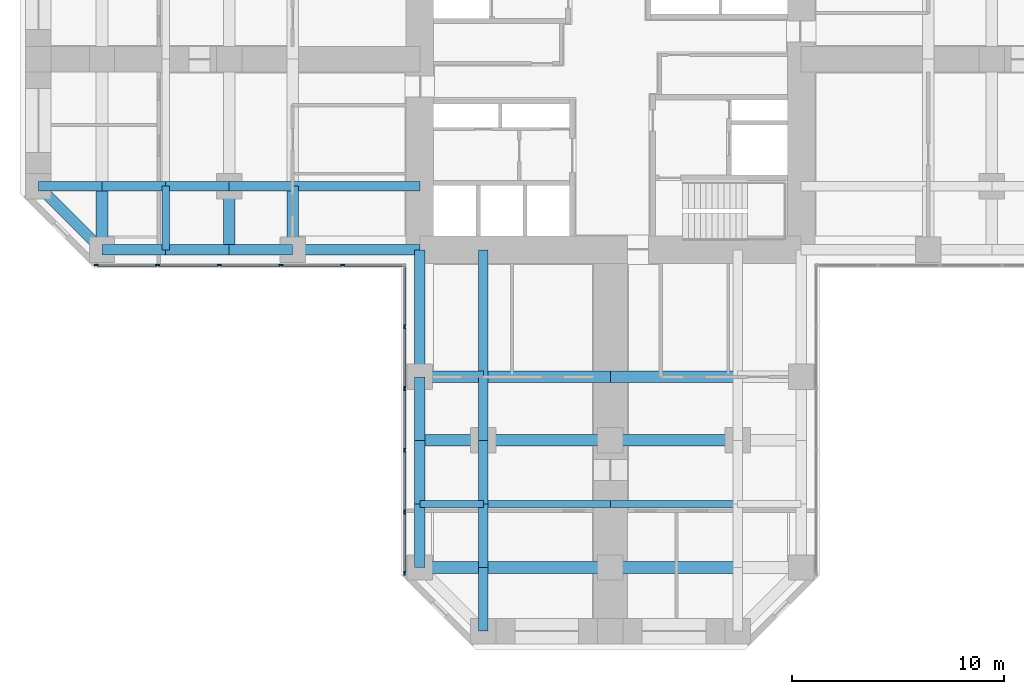
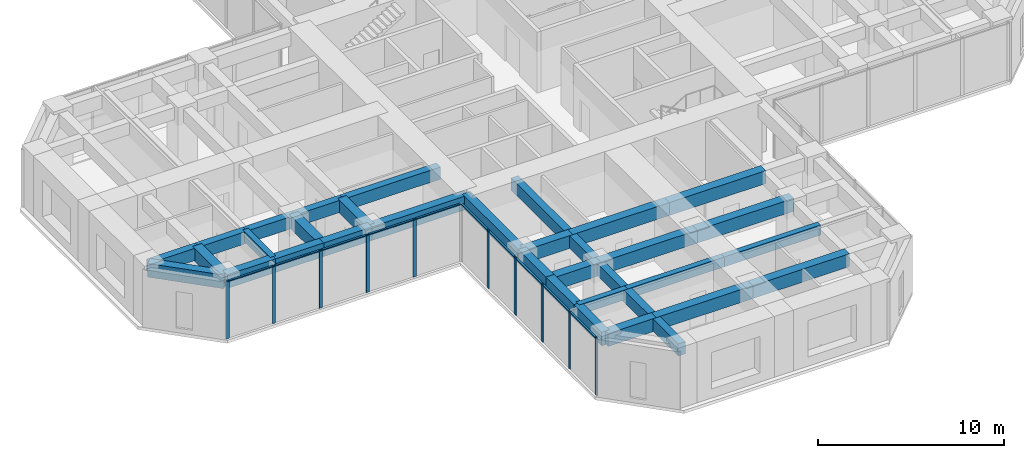
# One storey, part 2 of 13: 35 beams, 20 members, 2 elements without a shape of their own.
"""IFC4 building model written with IfcOpenShell, lengths in metres."""

from ifc_helpers import new_model, si_unit, direction, frame, origin, origin_2d, place, context, subcontext, project, spatial, rectangle, extrude, material, material_profile, profile_set, type_object, element, aggregate, save


model = new_model("IFC4")

# Units and contexts
model_context = context("Model", 3, precision=1e-05, world=origin(), true_north=direction((0.0, 1.0)))
body_context = subcontext(model_context, "Body", "Model", "MODEL_VIEW")
ifc_project = project(units=[si_unit("LENGTHUNIT", "METRE"), si_unit("AREAUNIT", "SQUARE_METRE"), si_unit("VOLUMEUNIT", "CUBIC_METRE"), si_unit("PLANEANGLEUNIT", "RADIAN"), si_unit("MASSUNIT", "GRAM", prefix="KILO")], contexts=[model_context])

# Site, building, storey
site_placement = place(None, origin())
site = spatial("IfcSite", under=ifc_project, at=site_placement, CompositionType="ELEMENT")
building_placement = place(site_placement, origin())
building = spatial("IfcBuilding", under=site, at=building_placement, Name="Torre Cruceta", CompositionType="ELEMENT")
storey_placement = place(building_placement, frame((0.0, 0.0, 51.5)))
storey = spatial("IfcBuildingStorey", under=building, at=storey_placement, Name="L12", CompositionType="ELEMENT", Elevation=51.5)

# Beams
ifc_material_1 = material(Name="Concrete G60 (fck 60 MPa)", Category="concrete")
ifc_material_profile_1 = material_profile(ifc_material_1, rectangle(XDim=0.449951171875, YDim=0.800048828125, at=origin_2d()), Name="RC 450X800")
ifc_profile_set_1 = profile_set([ifc_material_profile_1], Name="Concrete G60 (fck 60 MPa)")
beam_type_1 = type_object("IfcBeamType", Name="COLUMN LINE BEAM RC 450X800", PredefinedType="BEAM", material=ifc_profile_set_1)
beam_1_placement = place(storey_placement, frame((-6.0, -9.0, 3.39990234375), z_axis=(0.0, -1.0, 0.0), x_axis=(1.0, 0.0, 0.0)))
element("IfcBeam", 1, at=beam_1_placement, inside=storey, type_object=beam_type_1, Name="LB1 L12 S col- 1", PredefinedType="BEAM", context=body_context, shape_type="SweptSolid", body=[
    extrude(rectangle(XDim=0.449951171875, YDim=0.800048828125, at=origin_2d()), origin(), (0.0, 0.0, 1.0), 6.0),
])
for number, where, z_axis, x_axis, name in (
    (2, (-6.0, -15.0, 3.39990234375), (0.0, -1.0, 0.0), (1.0, 0.0, 0.0), "LB1 L12 S col- 2"),
    (3, (-6.0, -18.0, 3.39990234375), (0.0, -1.0, 0.0), (1.0, 0.0, 0.0), "LB1 L12 S col- 3"),
    (4, (-6.0, -21.0, 3.39990234375), (0.0, -1.0, 0.0), (1.0, 0.0, 0.0), "LB1 L12 S col- 4"),
    (5, (-6.0, -24.0, 3.39990234375), (0.0, -1.0, 0.0), (1.0, 0.0, 0.0), "LB1 L12 S col- 5"),
):
    element("IfcBeam", number, at=place(storey_placement, frame(where, z_axis=z_axis, x_axis=x_axis)), inside=storey, type_object=beam_type_1, Name=name, PredefinedType="BEAM", context=body_context, shape_type="SweptSolid", body=[
        extrude(rectangle(XDim=0.449951171875, YDim=0.800048828125, at=origin_2d()), origin(), (0.0, 0.0, 1.0), 3.0),
    ])
beam_2_placement = place(storey_placement, frame((-9.0, -6.0, 3.39990234375), z_axis=(-1.0, 0.0, 0.0), x_axis=(0.0, -1.0, 0.0)))
element("IfcBeam", 6, at=beam_2_placement, inside=storey, type_object=beam_type_1, Name="LB1 L12 W col+ 1", PredefinedType="BEAM", context=body_context, shape_type="SweptSolid", body=[
    extrude(rectangle(XDim=0.449951171875, YDim=0.800048828125, at=origin_2d()), origin(), (0.0, 0.0, 1.0), 6.0),
])
for number, where, z_axis, x_axis, name in (
    (7, (-15.0, -6.0, 3.39990234375), (-1.0, 0.0, 0.0), (0.0, -1.0, 0.0), "LB1 L12 W col+ 2"),
    (8, (-18.0, -6.0, 3.39990234375), (-1.0, 0.0, 0.0), (0.0, -1.0, 0.0), "LB1 L12 W col+ 3"),
    (9, (-21.0, -6.0, 3.39990234375), (-1.0, 0.0, 0.0), (0.0, -1.0, 0.0), "LB1 L12 W col+ 4"),
    (10, (-24.0, -6.0, 3.39990234375), (-1.0, 0.0, 0.0), (0.0, -1.0, 0.0), "LB1 L12 W col+ 5"),
):
    element("IfcBeam", number, at=place(storey_placement, frame(where, z_axis=z_axis, x_axis=x_axis)), inside=storey, type_object=beam_type_1, Name=name, PredefinedType="BEAM", context=body_context, shape_type="SweptSolid", body=[
        extrude(rectangle(XDim=0.449951171875, YDim=0.800048828125, at=origin_2d()), origin(), (0.0, 0.0, 1.0), 3.0),
    ])
ifc_material_2 = material(Name="Concrete G60 (fck 60 MPa)", Category="concrete")
ifc_material_profile_2 = material_profile(ifc_material_2, rectangle(XDim=0.550048828125, YDim=0.85009765625, at=origin_2d()), Name="RC 550X850")
ifc_profile_set_2 = profile_set([ifc_material_profile_2], Name="Concrete G60 (fck 60 MPa)")
beam_type_2 = type_object("IfcBeamType", Name="CROSS BEAM RC 550X850", PredefinedType="BEAM", material=ifc_profile_set_2)
beam_3_placement = place(storey_placement, frame((-9.0, -15.0, 3.375), z_axis=(1.0, 0.0, 0.0), x_axis=(0.0, 1.0, 0.0)))
element("IfcBeam", 11, at=beam_3_placement, inside=storey, type_object=beam_type_2, Name="GB4 L12 S cross15 1", PredefinedType="BEAM", context=body_context, shape_type="SweptSolid", body=[
    extrude(rectangle(XDim=0.550048828125, YDim=0.85009765625, at=origin_2d()), origin(), (0.0, 0.0, 1.0), 3.0),
])
for number, where, z_axis, x_axis, name in (
    (12, (-6.0, -15.0, 3.375), (1.0, 0.0, 0.0), (0.0, 1.0, 0.0), "GB4 L12 S cross15 2"),
    (13, (0.0, -15.0, 3.375), (1.0, 0.0, 0.0), (0.0, 1.0, 0.0), "GB4 L12 S cross15 3"),
):
    element("IfcBeam", number, at=place(storey_placement, frame(where, z_axis=z_axis, x_axis=x_axis)), inside=storey, type_object=beam_type_2, Name=name, PredefinedType="BEAM", context=body_context, shape_type="SweptSolid", body=[
        extrude(rectangle(XDim=0.550048828125, YDim=0.85009765625, at=origin_2d()), origin(), (0.0, 0.0, 1.0), 6.0),
    ])
beam_4_placement = place(storey_placement, frame((-9.0, -18.0, 3.375), z_axis=(1.0, 0.0, 0.0), x_axis=(0.0, 1.0, 0.0)))
element("IfcBeam", 14, at=beam_4_placement, inside=storey, type_object=beam_type_2, Name="GB4 L12 S cross18 1", PredefinedType="BEAM", context=body_context, shape_type="SweptSolid", body=[
    extrude(rectangle(XDim=0.550048828125, YDim=0.85009765625, at=origin_2d()), origin(), (0.0, 0.0, 1.0), 3.0),
])
for number, where, z_axis, x_axis, name in (
    (15, (-6.0, -18.0, 3.375), (1.0, 0.0, 0.0), (0.0, 1.0, 0.0), "GB4 L12 S cross18 2"),
    (16, (0.0, -18.0, 3.375), (1.0, 0.0, 0.0), (0.0, 1.0, 0.0), "GB4 L12 S cross18 3"),
):
    element("IfcBeam", number, at=place(storey_placement, frame(where, z_axis=z_axis, x_axis=x_axis)), inside=storey, type_object=beam_type_2, Name=name, PredefinedType="BEAM", context=body_context, shape_type="SweptSolid", body=[
        extrude(rectangle(XDim=0.550048828125, YDim=0.85009765625, at=origin_2d()), origin(), (0.0, 0.0, 1.0), 6.0),
    ])
beam_5_placement = place(storey_placement, frame((-9.0, -24.0, 3.375), z_axis=(1.0, 0.0, 0.0), x_axis=(0.0, 1.0, 0.0)))
element("IfcBeam", 17, at=beam_5_placement, inside=storey, type_object=beam_type_2, Name="GB4 L12 S cross24 1", PredefinedType="BEAM", context=body_context, shape_type="SweptSolid", body=[
    extrude(rectangle(XDim=0.550048828125, YDim=0.85009765625, at=origin_2d()), origin(), (0.0, 0.0, 1.0), 3.0),
])
for number, where, z_axis, x_axis, name in (
    (18, (-6.0, -24.0, 3.375), (1.0, 0.0, 0.0), (0.0, 1.0, 0.0), "GB4 L12 S cross24 2"),
    (19, (0.0, -24.0, 3.375), (1.0, 0.0, 0.0), (0.0, 1.0, 0.0), "GB4 L12 S cross24 3"),
):
    element("IfcBeam", number, at=place(storey_placement, frame(where, z_axis=z_axis, x_axis=x_axis)), inside=storey, type_object=beam_type_2, Name=name, PredefinedType="BEAM", context=body_context, shape_type="SweptSolid", body=[
        extrude(rectangle(XDim=0.550048828125, YDim=0.85009765625, at=origin_2d()), origin(), (0.0, 0.0, 1.0), 6.0),
    ])
for number, where, z_axis, x_axis, name in (
    (20, (-15.0, -6.0, 3.375), (0.0, -1.0, 0.0), (1.0, 0.0, 0.0), "GB4 L12 W cross15 4"),
    (21, (-18.0, -6.0, 3.375), (0.0, -1.0, 0.0), (1.0, 0.0, 0.0), "GB4 L12 W cross18 4"),
    (22, (-24.0, -6.0, 3.375), (0.0, -1.0, 0.0), (1.0, 0.0, 0.0), "GB4 L12 W cross24 4"),
):
    element("IfcBeam", number, at=place(storey_placement, frame(where, z_axis=z_axis, x_axis=x_axis)), inside=storey, type_object=beam_type_2, Name=name, PredefinedType="BEAM", context=body_context, shape_type="SweptSolid", body=[
        extrude(rectangle(XDim=0.550048828125, YDim=0.85009765625, at=origin_2d()), origin(), (0.0, 0.0, 1.0), 3.0),
    ])

# Curtain wall, members
ifc_material_3 = material(Name="Aluminium unitised curtain wall", Category="aluminium")
curtain_wall_type = type_object("IfcCurtainWallType", Name="CURTAIN WALL CW-A OFFICE LOW RISE", PredefinedType="USERDEFINED", material=ifc_material_3)
curtain_wall_1_placement = place(storey_placement, origin())
curtain_wall_1 = element("IfcCurtainWall", 23, at=curtain_wall_1_placement, inside=storey, type_object=curtain_wall_type, Name="CW-A L12 W side 14", ObjectType="UNITISED", PredefinedType="USERDEFINED")
ifc_material_4 = material(Name="Aluminium mullion", Category="aluminium")
ifc_material_profile_3 = material_profile(ifc_material_4, rectangle(XDim=0.06494140625, YDim=0.199951171875, at=origin_2d()), Name="AL 65X200")
ifc_profile_set_3 = profile_set([ifc_material_profile_3], Name="Aluminium mullion")
member_type_1 = type_object("IfcMemberType", Name="CW-A MULLION 65X200", PredefinedType="MULLION", material=ifc_profile_set_3)
member_1_placement = place(storey_placement, frame((-24.265625, -9.719970703125, 0.0), z_axis=(0.0, 0.0, 1.0), x_axis=(0.0, 1.0, 0.0)))
member_1 = element("IfcMember", 24, at=member_1_placement, type_object=member_type_1, Name="CW-A mullion 1", PredefinedType="MULLION", context=body_context, shape_type="SweptSolid", body=[
    extrude(rectangle(XDim=0.06494140625, YDim=0.199951171875, at=origin_2d()), origin(), (0.0, 0.0, 1.0), 3.800048828125),
])
member_2_placement = place(storey_placement, frame((-21.382568359375, -9.719970703125, 0.0), z_axis=(0.0, 0.0, 1.0), x_axis=(0.0, 1.0, 0.0)))
member_2 = element("IfcMember", 25, at=member_2_placement, type_object=member_type_1, Name="CW-A mullion 2", PredefinedType="MULLION", context=body_context, shape_type="SweptSolid", body=[
    extrude(rectangle(XDim=0.06494140625, YDim=0.199951171875, at=origin_2d()), origin(), (0.0, 0.0, 1.0), 3.800048828125),
])
member_3_placement = place(storey_placement, frame((-18.467041015625, -9.719970703125, 0.0), z_axis=(0.0, 0.0, 1.0), x_axis=(0.0, 1.0, 0.0)))
member_3 = element("IfcMember", 26, at=member_3_placement, type_object=member_type_1, Name="CW-A mullion 3", PredefinedType="MULLION", context=body_context, shape_type="SweptSolid", body=[
    extrude(rectangle(XDim=0.06494140625, YDim=0.199951171875, at=origin_2d()), origin(), (0.0, 0.0, 1.0), 3.800048828125),
])
member_4_placement = place(storey_placement, frame((-15.55126953125, -9.719970703125, 0.0), z_axis=(0.0, 0.0, 1.0), x_axis=(0.0, 1.0, 0.0)))
member_4 = element("IfcMember", 27, at=member_4_placement, type_object=member_type_1, Name="CW-A mullion 4", PredefinedType="MULLION", context=body_context, shape_type="SweptSolid", body=[
    extrude(rectangle(XDim=0.06494140625, YDim=0.199951171875, at=origin_2d()), origin(), (0.0, 0.0, 1.0), 3.800048828125),
])
member_5_placement = place(storey_placement, frame((-12.6357421875, -9.719970703125, 0.0), z_axis=(0.0, 0.0, 1.0), x_axis=(0.0, 1.0, 0.0)))
member_5 = element("IfcMember", 28, at=member_5_placement, type_object=member_type_1, Name="CW-A mullion 5", PredefinedType="MULLION", context=body_context, shape_type="SweptSolid", body=[
    extrude(rectangle(XDim=0.06494140625, YDim=0.199951171875, at=origin_2d()), origin(), (0.0, 0.0, 1.0), 3.800048828125),
])

curtain_wall_2_placement = place(storey_placement, origin())
curtain_wall_2 = element("IfcCurtainWall", 29, at=curtain_wall_2_placement, inside=storey, type_object=curtain_wall_type, Name="CW-A L12 S side 15", ObjectType="UNITISED", PredefinedType="USERDEFINED")
member_6_placement = place(storey_placement, frame((-9.719970703125, -12.6357421875, 0.0), z_axis=(0.0, 0.0, 1.0), x_axis=(1.0, 0.0, 0.0)))
member_6 = element("IfcMember", 30, at=member_6_placement, type_object=member_type_1, Name="CW-A mullion 2", PredefinedType="MULLION", context=body_context, shape_type="SweptSolid", body=[
    extrude(rectangle(XDim=0.06494140625, YDim=0.199951171875, at=origin_2d()), origin(), (0.0, 0.0, 1.0), 3.800048828125),
])
member_7_placement = place(storey_placement, frame((-9.719970703125, -15.55126953125, 0.0), z_axis=(0.0, 0.0, 1.0), x_axis=(1.0, 0.0, 0.0)))
member_7 = element("IfcMember", 31, at=member_7_placement, type_object=member_type_1, Name="CW-A mullion 3", PredefinedType="MULLION", context=body_context, shape_type="SweptSolid", body=[
    extrude(rectangle(XDim=0.06494140625, YDim=0.199951171875, at=origin_2d()), origin(), (0.0, 0.0, 1.0), 3.800048828125),
])
member_8_placement = place(storey_placement, frame((-9.719970703125, -18.467041015625, 0.0), z_axis=(0.0, 0.0, 1.0), x_axis=(1.0, 0.0, 0.0)))
member_8 = element("IfcMember", 32, at=member_8_placement, type_object=member_type_1, Name="CW-A mullion 4", PredefinedType="MULLION", context=body_context, shape_type="SweptSolid", body=[
    extrude(rectangle(XDim=0.06494140625, YDim=0.199951171875, at=origin_2d()), origin(), (0.0, 0.0, 1.0), 3.800048828125),
])
member_9_placement = place(storey_placement, frame((-9.719970703125, -21.382568359375, 0.0), z_axis=(0.0, 0.0, 1.0), x_axis=(1.0, 0.0, 0.0)))
member_9 = element("IfcMember", 33, at=member_9_placement, type_object=member_type_1, Name="CW-A mullion 5", PredefinedType="MULLION", context=body_context, shape_type="SweptSolid", body=[
    extrude(rectangle(XDim=0.06494140625, YDim=0.199951171875, at=origin_2d()), origin(), (0.0, 0.0, 1.0), 3.800048828125),
])
member_10_placement = place(storey_placement, frame((-9.719970703125, -24.265625, 0.0), z_axis=(0.0, 0.0, 1.0), x_axis=(1.0, 0.0, 0.0)))
member_10 = element("IfcMember", 34, at=member_10_placement, type_object=member_type_1, Name="CW-A mullion 6", PredefinedType="MULLION", context=body_context, shape_type="SweptSolid", body=[
    extrude(rectangle(XDim=0.06494140625, YDim=0.199951171875, at=origin_2d()), origin(), (0.0, 0.0, 1.0), 3.800048828125),
])

# Member
ifc_material_5 = material(Name="Aluminium transom", Category="aluminium")
ifc_material_profile_4 = material_profile(ifc_material_5, rectangle(XDim=0.1201171875, YDim=0.06494140625, at=origin_2d()), Name="AL 120X65")
ifc_profile_set_4 = profile_set([ifc_material_profile_4], Name="Aluminium transom")
member_type_2 = type_object("IfcMemberType", Name="CW-A TRANSOM 65X120", PredefinedType="USERDEFINED", material=ifc_profile_set_4)
member_11_placement = place(storey_placement, frame((-24.233154296875, -9.719970703125, 3.767578125), z_axis=(1.0, 0.0, 0.0), x_axis=(0.0, 1.0, 0.0)))
member_11 = element("IfcMember", 35, at=member_11_placement, type_object=member_type_2, Name="CW-A transom 1", ObjectType="TRANSOM", PredefinedType="USERDEFINED", context=body_context, shape_type="SweptSolid", body=[
    extrude(rectangle(XDim=0.1201171875, YDim=0.06494140625, at=origin_2d()), origin(), (0.0, 0.0, 1.0), 2.818115234375),
])

member_12_placement = place(storey_placement, frame((-21.35009765625, -9.719970703125, 3.767578125), z_axis=(1.0, 0.0, 0.0), x_axis=(0.0, 1.0, 0.0)))
member_12 = element("IfcMember", 36, at=member_12_placement, type_object=member_type_2, Name="CW-A transom 2", ObjectType="TRANSOM", PredefinedType="USERDEFINED", context=body_context, shape_type="SweptSolid", body=[
    extrude(rectangle(XDim=0.1201171875, YDim=0.06494140625, at=origin_2d()), origin(), (0.0, 0.0, 1.0), 2.8505859375),
])

member_13_placement = place(storey_placement, frame((-18.434326171875, -9.719970703125, 3.767578125), z_axis=(1.0, 0.0, 0.0), x_axis=(0.0, 1.0, 0.0)))
member_13 = element("IfcMember", 37, at=member_13_placement, type_object=member_type_2, Name="CW-A transom 3", ObjectType="TRANSOM", PredefinedType="USERDEFINED", context=body_context, shape_type="SweptSolid", body=[
    extrude(rectangle(XDim=0.1201171875, YDim=0.06494140625, at=origin_2d()), origin(), (0.0, 0.0, 1.0), 2.8505859375),
])

member_14_placement = place(storey_placement, frame((-15.518798828125, -9.719970703125, 3.767578125), z_axis=(1.0, 0.0, 0.0), x_axis=(0.0, 1.0, 0.0)))
member_14 = element("IfcMember", 38, at=member_14_placement, type_object=member_type_2, Name="CW-A transom 4", ObjectType="TRANSOM", PredefinedType="USERDEFINED", context=body_context, shape_type="SweptSolid", body=[
    extrude(rectangle(XDim=0.1201171875, YDim=0.06494140625, at=origin_2d()), origin(), (0.0, 0.0, 1.0), 2.8505859375),
])

member_15_placement = place(storey_placement, frame((-12.60302734375, -9.719970703125, 3.767578125), z_axis=(1.0, 0.0, 0.0), x_axis=(0.0, 1.0, 0.0)))
member_15 = element("IfcMember", 39, at=member_15_placement, type_object=member_type_2, Name="CW-A transom 5", ObjectType="TRANSOM", PredefinedType="USERDEFINED", context=body_context, shape_type="SweptSolid", body=[
    extrude(rectangle(XDim=0.1201171875, YDim=0.06494140625, at=origin_2d()), origin(), (0.0, 0.0, 1.0), 2.818115234375),
])

aggregate(curtain_wall_1, [member_1, member_2, member_3, member_4, member_5, member_11, member_12, member_13, member_14, member_15])

member_16_placement = place(storey_placement, frame((-9.719970703125, -9.784912109375, 3.767578125), z_axis=(0.0, -1.0, 0.0), x_axis=(1.0, 0.0, 0.0)))
member_16 = element("IfcMember", 40, at=member_16_placement, type_object=member_type_2, Name="CW-A transom 1", ObjectType="TRANSOM", PredefinedType="USERDEFINED", context=body_context, shape_type="SweptSolid", body=[
    extrude(rectangle(XDim=0.1201171875, YDim=0.06494140625, at=origin_2d()), origin(), (0.0, 0.0, 1.0), 2.818115234375),
])

member_17_placement = place(storey_placement, frame((-9.719970703125, -12.668212890625, 3.767578125), z_axis=(0.0, -1.0, 0.0), x_axis=(1.0, 0.0, 0.0)))
member_17 = element("IfcMember", 41, at=member_17_placement, type_object=member_type_2, Name="CW-A transom 2", ObjectType="TRANSOM", PredefinedType="USERDEFINED", context=body_context, shape_type="SweptSolid", body=[
    extrude(rectangle(XDim=0.1201171875, YDim=0.06494140625, at=origin_2d()), origin(), (0.0, 0.0, 1.0), 2.8505859375),
])

member_18_placement = place(storey_placement, frame((-9.719970703125, -15.583740234375, 3.767578125), z_axis=(0.0, -1.0, 0.0), x_axis=(1.0, 0.0, 0.0)))
member_18 = element("IfcMember", 42, at=member_18_placement, type_object=member_type_2, Name="CW-A transom 3", ObjectType="TRANSOM", PredefinedType="USERDEFINED", context=body_context, shape_type="SweptSolid", body=[
    extrude(rectangle(XDim=0.1201171875, YDim=0.06494140625, at=origin_2d()), origin(), (0.0, 0.0, 1.0), 2.8505859375),
])

member_19_placement = place(storey_placement, frame((-9.719970703125, -18.49951171875, 3.767578125), z_axis=(0.0, -1.0, 0.0), x_axis=(1.0, 0.0, 0.0)))
member_19 = element("IfcMember", 43, at=member_19_placement, type_object=member_type_2, Name="CW-A transom 4", ObjectType="TRANSOM", PredefinedType="USERDEFINED", context=body_context, shape_type="SweptSolid", body=[
    extrude(rectangle(XDim=0.1201171875, YDim=0.06494140625, at=origin_2d()), origin(), (0.0, 0.0, 1.0), 2.8505859375),
])

member_20_placement = place(storey_placement, frame((-9.719970703125, -21.4150390625, 3.767578125), z_axis=(0.0, -1.0, 0.0), x_axis=(1.0, 0.0, 0.0)))
member_20 = element("IfcMember", 44, at=member_20_placement, type_object=member_type_2, Name="CW-A transom 5", ObjectType="TRANSOM", PredefinedType="USERDEFINED", context=body_context, shape_type="SweptSolid", body=[
    extrude(rectangle(XDim=0.1201171875, YDim=0.06494140625, at=origin_2d()), origin(), (0.0, 0.0, 1.0), 2.818115234375),
])

aggregate(curtain_wall_2, [member_6, member_7, member_8, member_9, member_10, member_16, member_17, member_18, member_19, member_20])

# Beams
ifc_material_6 = material(Name="Concrete G60 (fck 60 MPa)", Category="concrete")
ifc_material_profile_5 = material_profile(ifc_material_6, rectangle(XDim=0.35009765625, YDim=0.64990234375, at=origin_2d()), Name="RC 350X650")
ifc_profile_set_5 = profile_set([ifc_material_profile_5], Name="Concrete G60 (fck 60 MPa)")
beam_type_3 = type_object("IfcBeamType", Name="SECONDARY BEAM RC 350X650", PredefinedType="JOIST", material=ifc_profile_set_5)
beam_6_placement = place(storey_placement, frame((-9.0, -21.0, 3.47509765625), z_axis=(1.0, 0.0, 0.0), x_axis=(0.0, 1.0, 0.0)))
element("IfcBeam", 45, at=beam_6_placement, inside=storey, type_object=beam_type_3, Name="JB3 L12 S sec21 1", PredefinedType="JOIST", context=body_context, shape_type="SweptSolid", body=[
    extrude(rectangle(XDim=0.35009765625, YDim=0.64990234375, at=origin_2d()), origin(), (0.0, 0.0, 1.0), 3.0),
])
for number, where, z_axis, x_axis, name in (
    (46, (-6.0, -21.0, 3.47509765625), (1.0, 0.0, 0.0), (0.0, 1.0, 0.0), "JB3 L12 S sec21 2"),
    (47, (0.0, -21.0, 3.47509765625), (1.0, 0.0, 0.0), (0.0, 1.0, 0.0), "JB3 L12 S sec21 3"),
):
    element("IfcBeam", number, at=place(storey_placement, frame(where, z_axis=z_axis, x_axis=x_axis)), inside=storey, type_object=beam_type_3, Name=name, PredefinedType="JOIST", context=body_context, shape_type="SweptSolid", body=[
        extrude(rectangle(XDim=0.35009765625, YDim=0.64990234375, at=origin_2d()), origin(), (0.0, 0.0, 1.0), 6.0),
    ])
beam_7_placement = place(storey_placement, frame((-21.0, -6.0, 3.47509765625), z_axis=(0.0, -1.0, 0.0), x_axis=(1.0, 0.0, 0.0)))
element("IfcBeam", 48, at=beam_7_placement, inside=storey, type_object=beam_type_3, Name="JB3 L12 W sec21 4", PredefinedType="JOIST", context=body_context, shape_type="SweptSolid", body=[
    extrude(rectangle(XDim=0.35009765625, YDim=0.64990234375, at=origin_2d()), origin(), (0.0, 0.0, 1.0), 3.0),
])
ifc_material_7 = material(Name="Concrete G60 (fck 60 MPa)", Category="concrete")
ifc_material_profile_6 = material_profile(ifc_material_7, rectangle(XDim=0.5, YDim=0.89990234375, at=origin_2d()), Name="RC 500X900")
ifc_profile_set_6 = profile_set([ifc_material_profile_6], Name="Concrete G60 (fck 60 MPa)")
beam_type_4 = type_object("IfcBeamType", Name="SPANDREL BEAM RC 500X900", PredefinedType="SPANDREL", material=ifc_profile_set_6)
beam_8_placement = place(storey_placement, frame((-9.0, -9.0, 3.35009765625), z_axis=(0.0, -1.0, 0.0), x_axis=(1.0, 0.0, 0.0)))
element("IfcBeam", 49, at=beam_8_placement, inside=storey, type_object=beam_type_4, Name="SB4 L12 S side- 1", PredefinedType="SPANDREL", context=body_context, shape_type="SweptSolid", body=[
    extrude(rectangle(XDim=0.5, YDim=0.89990234375, at=origin_2d()), origin(), (0.0, 0.0, 1.0), 6.0),
])
for number, where, z_axis, x_axis, name in (
    (50, (-9.0, -15.0, 3.35009765625), (0.0, -1.0, 0.0), (1.0, 0.0, 0.0), "SB4 L12 S side- 2"),
    (51, (-9.0, -18.0, 3.35009765625), (0.0, -1.0, 0.0), (1.0, 0.0, 0.0), "SB4 L12 S side- 3"),
    (52, (-9.0, -21.0, 3.35009765625), (0.0, -1.0, 0.0), (1.0, 0.0, 0.0), "SB4 L12 S side- 4"),
):
    element("IfcBeam", number, at=place(storey_placement, frame(where, z_axis=z_axis, x_axis=x_axis)), inside=storey, type_object=beam_type_4, Name=name, PredefinedType="SPANDREL", context=body_context, shape_type="SweptSolid", body=[
        extrude(rectangle(XDim=0.5, YDim=0.89990234375, at=origin_2d()), origin(), (0.0, 0.0, 1.0), 3.0),
    ])
beam_9_placement = place(storey_placement, frame((-9.0, -9.0, 3.35009765625), z_axis=(-1.0, 0.0, 0.0), x_axis=(0.0, -1.0, 0.0)))
element("IfcBeam", 53, at=beam_9_placement, inside=storey, type_object=beam_type_4, Name="SB4 L12 W side+ 1", PredefinedType="SPANDREL", context=body_context, shape_type="SweptSolid", body=[
    extrude(rectangle(XDim=0.5, YDim=0.89990234375, at=origin_2d()), origin(), (0.0, 0.0, 1.0), 6.0),
])
for number, where, z_axis, x_axis, name in (
    (54, (-15.0, -9.0, 3.35009765625), (-1.0, 0.0, 0.0), (0.0, -1.0, 0.0), "SB4 L12 W side+ 2"),
    (55, (-18.0, -9.0, 3.35009765625), (-1.0, 0.0, 0.0), (0.0, -1.0, 0.0), "SB4 L12 W side+ 3"),
    (56, (-21.0, -9.0, 3.35009765625), (-1.0, 0.0, 0.0), (0.0, -1.0, 0.0), "SB4 L12 W side+ 4"),
):
    element("IfcBeam", number, at=place(storey_placement, frame(where, z_axis=z_axis, x_axis=x_axis)), inside=storey, type_object=beam_type_4, Name=name, PredefinedType="SPANDREL", context=body_context, shape_type="SweptSolid", body=[
        extrude(rectangle(XDim=0.5, YDim=0.89990234375, at=origin_2d()), origin(), (0.0, 0.0, 1.0), 3.0),
    ])
beam_10_placement = place(storey_placement, frame((-24.0, -9.0, 3.35009765625), z_axis=(-0.707106781187, 0.707106781187, 0.0), x_axis=(-0.707106781187, -0.707106781187, 0.0)))
element("IfcBeam", 57, at=beam_10_placement, inside=storey, type_object=beam_type_4, Name="SB4 L12 W side+ 5", PredefinedType="SPANDREL", context=body_context, shape_type="SweptSolid", body=[
    extrude(rectangle(XDim=0.5, YDim=0.89990234375, at=origin_2d()), origin(), (0.0, 0.0, 1.0), 4.24267578125),
])

save(model, "model.ifc")
